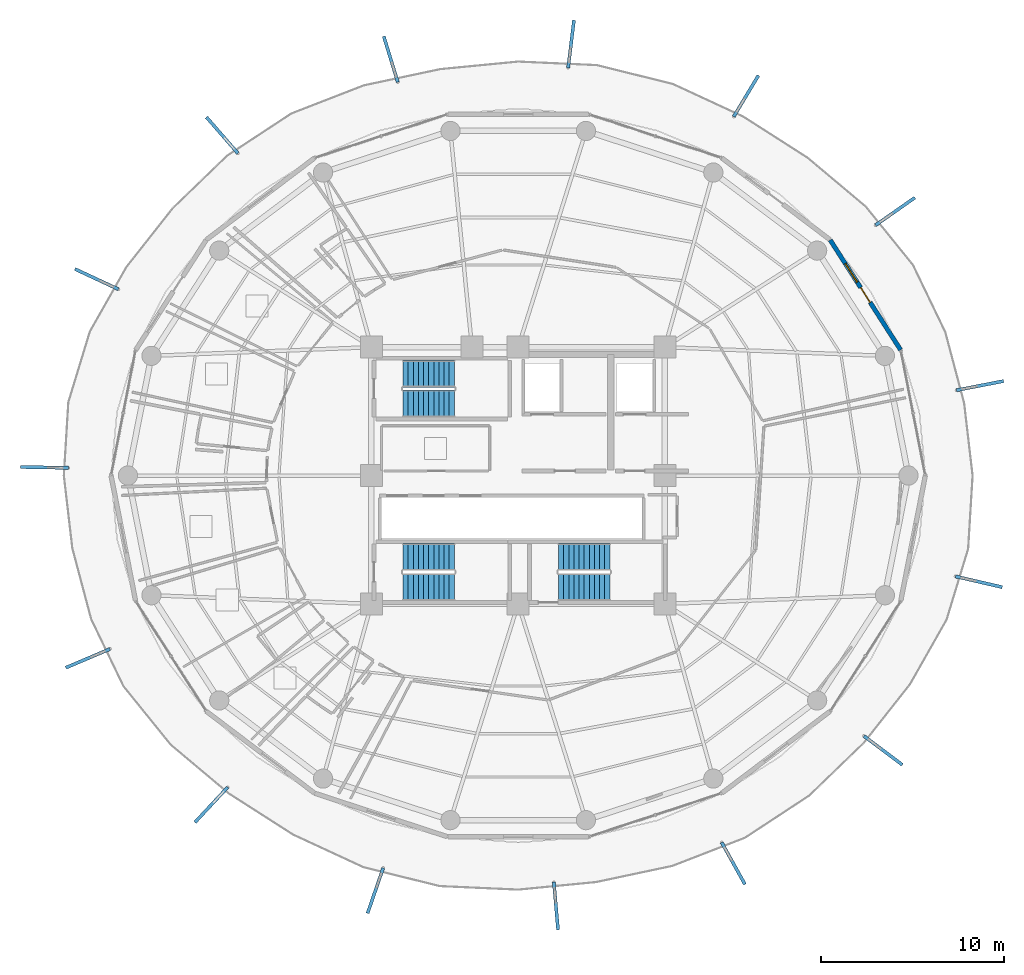
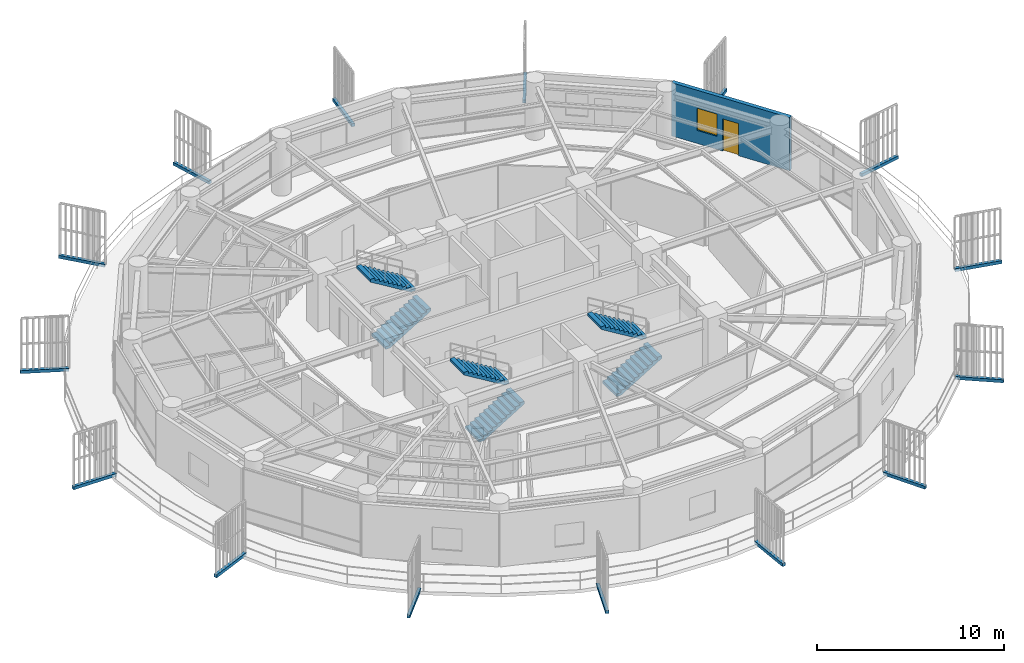
# One storey, part 26 of 30: 15 discrete accessories, 6 stair flights, 1 door, 1 wall, 1 window, 2 openings, 3 elements without a shape of their own.
"""IFC4 building model written with IfcOpenShell, lengths in metres."""

import ifcopenshell
import ifcopenshell.guid

model = None  # the IFC model being written
_history = None  # IfcOwnerHistory: only IFC2X3 demands one
_inside = {}  # id of a spatial element -> (the spatial element, [elements in it])
_under = {}  # id of a project, library or spatial element -> (it, [spatial elements below it])
_declared = {}  # id of a project -> (the project, [libraries it declares])
_typed = {}  # id of a type object -> (the type object, [elements of that type])
_made_of = {}  # id of a material, layer set ... -> (it, [elements and type objects made of it])


def new_model(schema):
    """Start an empty IFC model of exactly this schema.

    Asked for "IFC4X3", IfcOpenShell would pick the latest addendum, in which some entities
    have other attributes; the version numbers below select the first issue.
    IFC2X3 requires an IfcOwnerHistory on every rooted entity: one is made here for all.
    """
    global model, _history
    if schema == "IFC4X3":
        model = ifcopenshell.file(schema_version=(4, 3, 0, 0))
    else:
        model = ifcopenshell.file(schema=schema)
    _inside.clear()
    _under.clear()
    _declared.clear()
    _typed.clear()
    _made_of.clear()
    _history = None
    if model.schema == "IFC2X3":
        org = make("IfcOrganization", Name="unknown")
        user = make(
            "IfcPersonAndOrganization",
            ThePerson=make("IfcPerson", FamilyName="unknown"),
            TheOrganization=org,
        )
        app = make(
            "IfcApplication",
            ApplicationDeveloper=org,
            Version="unknown",
            ApplicationFullName="unknown",
            ApplicationIdentifier="unknown",
        )
        _history = make(
            "IfcOwnerHistory",
            OwningUser=user,
            OwningApplication=app,
            ChangeAction="ADDED",
            CreationDate=0,
        )
    return model


def make(cls, **values):
    """One entity of the class cls with the attributes given. An attribute that is None is left unset."""
    return model.create_entity(
        cls, **{name: value for name, value in values.items() if value is not None}
    )


def rooted(cls, **values):
    """An entity with a GlobalId (a new one), such as an element, a storey or a relation."""
    return make(cls, GlobalId=ifcopenshell.guid.new(), OwnerHistory=_history, **values)


def si_unit(unit_type, name, prefix=None):
    """IfcSIUnit, for example si_unit("LENGTHUNIT", "METRE", prefix="MILLI")."""
    return make("IfcSIUnit", UnitType=unit_type, Prefix=prefix, Name=name)


def assignment(units):
    """IfcUnitAssignment: the units of a project."""
    return None if units is None else make("IfcUnitAssignment", Units=units)


def point(xyz):
    """IfcCartesianPoint."""
    return None if xyz is None else make("IfcCartesianPoint", Coordinates=xyz)


def direction(xyz):
    """IfcDirection."""
    return None if xyz is None else make("IfcDirection", DirectionRatios=xyz)


def frame(location, z_axis=None, x_axis=None):
    """IfcAxis2Placement3D, a coordinate frame: its origin and axes. An axis left out is left unset."""
    return make(
        "IfcAxis2Placement3D",
        Location=point(location),
        Axis=direction(z_axis),
        RefDirection=direction(x_axis),
    )


def frame_2d(location, x_axis=None):
    """IfcAxis2Placement2D, a coordinate frame in the plane: its origin and x axis."""
    return make(
        "IfcAxis2Placement2D", Location=point(location), RefDirection=direction(x_axis)
    )


def origin():
    """The frame at (0, 0, 0) with its axes left unset."""
    return frame((0.0, 0.0, 0.0))


def origin_2d():
    """The frame at (0, 0) in the plane with its x axis left unset."""
    return frame_2d((0.0, 0.0))


def place(relative_to, where):
    """IfcLocalPlacement: puts the frame where relative to a parent placement (None: the world)."""
    return make(
        "IfcLocalPlacement", PlacementRelTo=relative_to, RelativePlacement=where
    )


def context(
    kind, dimensions, precision=None, world=None, true_north=None, identifier=None
):
    """IfcGeometricRepresentationContext, for example the 3D "Model" context."""
    return make(
        "IfcGeometricRepresentationContext",
        ContextIdentifier=identifier,
        ContextType=kind,
        CoordinateSpaceDimension=dimensions,
        Precision=precision,
        WorldCoordinateSystem=world,
        TrueNorth=true_north,
    )


def subcontext(parent, identifier, kind, view, scale=None):
    """IfcGeometricRepresentationSubContext, for example "Body" below "Model"."""
    return make(
        "IfcGeometricRepresentationSubContext",
        ContextIdentifier=identifier,
        ContextType=kind,
        ParentContext=parent,
        TargetScale=scale,
        TargetView=view,
    )


def project(units=None, contexts=None):
    """IfcProject with its units and contexts."""
    return rooted(
        "IfcProject",
        Name="project",
        RepresentationContexts=contexts,
        UnitsInContext=assignment(units),
    )


def spatial(cls, under=None, at=None, **own):
    """A site, building, storey or space (cls), placed at a placement, below another one or the project."""
    s = rooted(cls, ObjectPlacement=at, **own)
    if under is not None:
        _under.setdefault(under.id(), (under, []))[1].append(s)
    return s


def polyline(points):
    """IfcPolyline through the points."""
    return make("IfcPolyline", Points=[point(p) for p in points])


def profile(cls, at=None, kind="AREA", **sizes):
    """A parametric profile (cls). Its sizes go by their IFC names, for example OverallWidth=200.0."""
    return make(cls, ProfileType=kind, Position=at, **sizes)


def rectangle(**sizes):
    """IfcRectangleProfileDef."""
    return profile("IfcRectangleProfileDef", **sizes)


def outline(outer, holes=None, kind="AREA"):
    """IfcArbitraryClosedProfileDef: a profile drawn as a closed curve; with holes, ...WithVoids."""
    if holes is None:
        return make("IfcArbitraryClosedProfileDef", ProfileType=kind, OuterCurve=outer)
    return make(
        "IfcArbitraryProfileDefWithVoids",
        ProfileType=kind,
        OuterCurve=outer,
        InnerCurves=holes,
    )


def extrude(swept, where, along, depth):
    """IfcExtrudedAreaSolid: the profile swept, set in the frame where, extruded along a direction by depth."""
    return make(
        "IfcExtrudedAreaSolid",
        SweptArea=swept,
        Position=where,
        ExtrudedDirection=direction(along),
        Depth=depth,
    )


def shape(context_of_items, identifier, shape_type, items):
    """IfcShapeRepresentation: the items that make up one representation, for example the "Body"."""
    return make(
        "IfcShapeRepresentation",
        ContextOfItems=context_of_items,
        RepresentationIdentifier=identifier,
        RepresentationType=shape_type,
        Items=items,
    )


def source(mapping_origin, context_of_items, identifier, shape_type, items):
    """IfcRepresentationMap: a shape defined once, which mapped items show again and again."""
    return make(
        "IfcRepresentationMap",
        MappingOrigin=mapping_origin,
        MappedRepresentation=shape(context_of_items, identifier, shape_type, items),
    )


def transform(
    local_origin,
    x_axis=None,
    y_axis=None,
    z_axis=None,
    scale=None,
    scale2=None,
    scale3=None,
    uniform=True,
):
    """IfcCartesianTransformationOperator3D, or its non-uniform kind. x_axis, y_axis, z_axis: its Axis1, 2, 3."""
    if uniform:
        return make(
            "IfcCartesianTransformationOperator3D",
            Axis1=direction(x_axis),
            Axis2=direction(y_axis),
            LocalOrigin=point(local_origin),
            Scale=scale,
            Axis3=direction(z_axis),
        )
    return make(
        "IfcCartesianTransformationOperator3DnonUniform",
        Axis1=direction(x_axis),
        Axis2=direction(y_axis),
        LocalOrigin=point(local_origin),
        Scale=scale,
        Axis3=direction(z_axis),
        Scale2=scale2,
        Scale3=scale3,
    )


def mapped(mapping_source, mapping_target):
    """IfcMappedItem: shows the shape of a source again, moved by a transform."""
    return make(
        "IfcMappedItem", MappingSource=mapping_source, MappingTarget=mapping_target
    )


def material(Name=None, Category=None):
    """IfcMaterial."""
    return make("IfcMaterial", Name=Name, Category=Category)


def layer(
    of_material, thickness, ventilated=None, Name=None, Category=None, Priority=None
):
    """IfcMaterialLayer: one layer of a wall or slab, of a material (None: an air gap)."""
    return make(
        "IfcMaterialLayer",
        Material=of_material,
        LayerThickness=thickness,
        IsVentilated=ventilated,
        Name=Name,
        Category=Category,
        Priority=Priority,
    )


def layer_set(layers, Name=None):
    """IfcMaterialLayerSet."""
    return make("IfcMaterialLayerSet", MaterialLayers=layers, LayerSetName=Name)


def made_of(thing, what):
    """Note that an element or type object is made of a material, layer set ...; save() writes the relation."""
    if what is not None:
        _made_of.setdefault(what.id(), (what, []))[1].append(thing)
    return thing


def type_object(cls, material=None, **own):
    """A type object (cls), such as IfcWallType, which elements share."""
    return made_of(rooted(cls, **own), material)


def element(
    cls,
    number,
    at=None,
    inside=None,
    cuts=None,
    type_object=None,
    material=None,
    context=None,
    identifier="Body",
    shape_type=None,
    held_by="IfcProductDefinitionShape",
    body=None,
    shapes=None,
    **own,
):
    """One element of the class cls, such as IfcWall. Its Tag is "e" and its number.

    at: its placement. inside: the storey or other place that contains it. cuts: it is an
    opening in that element (IfcRelVoidsElement). A single representation is given by context,
    identifier, shape_type and body (its items); several are given by shapes. held_by: the class
    of the entity that holds the representations. save() writes the other relations.
    """
    e = rooted(cls, Tag="e%d" % number, ObjectPlacement=at, **own)
    if body is not None:
        shapes = [shape(context, identifier, shape_type, body)]
    if shapes is not None:
        e.Representation = make(held_by, Representations=shapes)
    if inside is not None:
        _inside.setdefault(inside.id(), (inside, []))[1].append(e)
    if cuts is not None:
        rooted(
            "IfcRelVoidsElement", RelatingBuildingElement=cuts, RelatedOpeningElement=e
        )
    if type_object is not None:
        _typed.setdefault(type_object.id(), (type_object, []))[1].append(e)
    return made_of(e, material)


def fill(opening, filler):
    """IfcRelFillsElement: the door or window that sits in an opening."""
    return rooted(
        "IfcRelFillsElement",
        RelatingOpeningElement=opening,
        RelatedBuildingElement=filler,
    )


def aggregate(whole, parts):
    """IfcRelAggregates: a whole, such as a stair, and the parts it consists of."""
    return rooted("IfcRelAggregates", RelatingObject=whole, RelatedObjects=parts)


def save(model, path):
    """Write the relations noted so far, then the file.

    IfcRelAggregates (storeys below a building ...), IfcRelContainedInSpatialStructure (elements
    in a storey), IfcRelDefinesByType, IfcRelAssociatesMaterial and IfcRelDeclares: one each for
    every whole, place, type object, material and project.
    """
    for whole, parts in _under.values():
        aggregate(whole, parts)
    for where, things in _inside.values():
        rooted(
            "IfcRelContainedInSpatialStructure",
            RelatedElements=things,
            RelatingStructure=where,
        )
    for kind, things in _typed.values():
        rooted("IfcRelDefinesByType", RelatedObjects=things, RelatingType=kind)
    for what, things in _made_of.values():
        rooted("IfcRelAssociatesMaterial", RelatedObjects=things, RelatingMaterial=what)
    for by, libraries in _declared.values():
        rooted("IfcRelDeclares", RelatingContext=by, RelatedDefinitions=libraries)
    model.write(path)


model = new_model("IFC4")

# Units and contexts
model_context = context("Model", 3, precision=1e-05, world=origin(), true_north=direction((0.0, 1.0)))
body_context = subcontext(model_context, "Body", "Model", "MODEL_VIEW")
ifc_project = project(units=[si_unit("LENGTHUNIT", "METRE"), si_unit("AREAUNIT", "SQUARE_METRE"), si_unit("VOLUMEUNIT", "CUBIC_METRE"), si_unit("PLANEANGLEUNIT", "RADIAN"), si_unit("MASSUNIT", "GRAM", prefix="KILO")], contexts=[model_context])

# Site, building, storey
site_placement = place(None, origin())
site = spatial("IfcSite", under=ifc_project, at=site_placement, CompositionType="ELEMENT")
building_placement = place(site_placement, origin())
building = spatial("IfcBuilding", under=site, at=building_placement, Name="Kelanora Arch Commons", CompositionType="ELEMENT")
storey_placement = place(building_placement, frame((0.0, 0.0, 204.449951171875)))
storey = spatial("IfcBuildingStorey", under=building, at=storey_placement, Name="L52", CompositionType="ELEMENT", Elevation=204.449951171875)

# Wall, openings, door, window
ifc_material_1 = material(Name="Precast concrete C40/50 upper-zone terracotta rainscreen", Category="masonry")
ifc_layer = layer(ifc_material_1, 0.239990234375)
ifc_layer_set = layer_set([ifc_layer], Name="Precast concrete C40/50 upper-zone terracotta rainscreen")
wall_type = type_object("IfcWallType", Name="W-EXT-TC2", PredefinedType="SOLIDWALL", material=ifc_layer_set)
wall_placement = place(storey_placement, frame((94.85302734375, 64.85302734375, 0.0), z_axis=(0.0, 0.0, 1.0), x_axis=(-0.539539512973, 0.841960280501, 0.0)))
wall = element("IfcWall", 1, at=wall_placement, inside=storey, type_object=wall_type, Name="Terracotta Exterior Wall L52-B01", PredefinedType="SOLIDWALL", context=body_context, shape_type="SweptSolid", body=[
    extrude(rectangle(XDim=7.11474609375, YDim=0.239990234375, at=frame_2d((3.557373046875, 0.0))), origin(), (0.0, 0.0, 1.0), 3.47509765625),
])
opening_1_placement = place(wall_placement, frame((3.08203125, 0.0, 0.0)))
opening_1 = element("IfcOpeningElement", 2, at=opening_1_placement, cuts=wall, Name="Opening DB-01", PredefinedType="OPENING", context=body_context, shape_type="SweptSolid", body=[
    extrude(rectangle(XDim=0.949951171875, YDim=2.10009765625, at=frame_2d((0.47509765625, 1.050048828125))), frame((0.0, 0.1298828125, 0.0), z_axis=(0.0, -1.0, 0.0), x_axis=(1.0, 0.0, 0.0)), (0.0, 0.0, 1.0), 0.260009765625),
])
opening_2_placement = place(wall_placement, frame((4.382080078125, 0.0, 0.85009765625)))
opening_2 = element("IfcOpeningElement", 3, at=opening_2_placement, cuts=wall, Name="Opening WN-02", PredefinedType="OPENING", context=body_context, shape_type="SweptSolid", body=[
    extrude(rectangle(XDim=1.199951171875, YDim=1.449951171875, at=frame_2d((0.60009765625, 0.72509765625))), frame((0.0, 0.1298828125, 0.0), z_axis=(0.0, -1.0, 0.0), x_axis=(1.0, 0.0, 0.0)), (0.0, 0.0, 1.0), 0.260009765625),
])
ifc_material_2 = material(Name="Terracotta-aluminium thermally broken glazed balcony door", Category="masonry")
door_type = type_object("IfcDoorType", Name="D-BAL-10", OperationType="NOTDEFINED", PredefinedType="DOOR", material=ifc_material_2)
door_placement = place(opening_1_placement, frame((0.949951171875, 0.0, 0.0), z_axis=(0.0, 0.0, 1.0), x_axis=(-1.0, 0.0, 0.0)))
door = element("IfcDoor", 4, at=door_placement, inside=storey, type_object=door_type, Name="Wave Balcony Door L52-B01", OperationType="SINGLE_SWING_RIGHT", OverallHeight=2.10009765625, OverallWidth=0.949951171875, PredefinedType="DOOR", context=body_context, shape_type="SweptSolid", body=[
    extrude(rectangle(XDim=0.949951171875, YDim=2.10009765625, at=frame_2d((0.47509765625, 1.050048828125))), frame((0.0, 0.02490234375, 0.0), z_axis=(0.0, -1.0, 0.0), x_axis=(1.0, 0.0, 0.0)), (0.0, 0.0, 1.0), 0.050048828125),
])
fill(opening_1, door)
ifc_material_3 = material(Name="Terracotta-anodised aluminium frame with operable awning sash", Category="masonry")
window_type = type_object("IfcWindowType", Name="WIN-CL-12", PartitioningType="SINGLE_PANEL", PredefinedType="WINDOW", material=ifc_material_3)
window_placement = place(opening_2_placement, origin())
window = element("IfcWindow", 5, at=window_placement, inside=storey, type_object=window_type, Name="Co-Living Operable Window L52-B01", OverallHeight=1.449951171875, OverallWidth=1.199951171875, PartitioningType="SINGLE_PANEL", PredefinedType="WINDOW", context=body_context, shape_type="SweptSolid", body=[
    extrude(rectangle(XDim=1.199951171875, YDim=1.449951171875, at=frame_2d((0.60009765625, 0.72509765625))), frame((0.0, 0.030029296875, 0.0), z_axis=(0.0, -1.0, 0.0), x_axis=(1.0, 0.0, 0.0)), (0.0, 0.0, 1.0), 0.06005859375),
])
fill(opening_2, window)

# Stair, stair flights
ifc_material_4 = material(Name="Concrete C40/50", Category="concrete")
stair_type = type_object("IfcStairType", Name="STR-DL-375", PredefinedType="HALF_TURN_STAIR", material=ifc_material_4)
stair_1_placement = place(storey_placement, origin())
stair_1 = element("IfcStair", 6, at=stair_1_placement, inside=storey, type_object=stair_type, Name="L52 ST-T1", PredefinedType="HALF_TURN_STAIR")
stair_flight_type = type_object("IfcStairFlightType", Name="FLT-DL-375", PredefinedType="STRAIGHT", material=ifc_material_4)
stair_flight_1_placement = place(storey_placement, frame((67.719970703125, 61.919921875, 0.0), z_axis=(0.0, 0.0, 1.0), x_axis=(1.0, 0.0, 0.0)))
stair_flight_1 = element("IfcStairFlight", 7, at=stair_flight_1_placement, type_object=stair_flight_type, Name="ST-T1 flight 1", NumberOfRisers=11, NumberOfTreads=10, PredefinedType="STRAIGHT", RiserHeight=0.170454545, TreadLength=0.28, context=body_context, shape_type="SweptSolid", body=[
    extrude(outline(polyline([(0.0, 0.0), (0.0, 0.17041015625), (0.280029296875, 0.17041015625), (0.280029296875, 0.3408203125), (0.56005859375, 0.3408203125), (0.56005859375, 0.511474609375), (0.840087890625, 0.511474609375), (0.840087890625, 0.681884765625), (1.1201171875, 0.681884765625), (1.1201171875, 0.852294921875), (1.39990234375, 0.852294921875), (1.39990234375, 1.022705078125), (1.679931640625, 1.022705078125), (1.679931640625, 1.193115234375), (1.9599609375, 1.193115234375), (1.9599609375, 1.363525390625), (2.239990234375, 1.363525390625), (2.239990234375, 1.5341796875), (2.52001953125, 1.5341796875), (2.52001953125, 1.70458984375), (2.800048828125, 1.70458984375), (2.800048828125, 1.875), (2.800048828125, 1.529052734375), (0.288330078125, 0.0), (0.0, 0.0)])), frame((0.0, 0.739990234375, 0.0), z_axis=(0.0, -1.0, 0.0), x_axis=(1.0, 0.0, 0.0)), (0.0, 0.0, 1.0), 1.47998046875),
])
stair_flight_2_placement = place(storey_placement, frame((70.52001953125, 63.550048828125, 1.875), z_axis=(0.0, 0.0, 1.0), x_axis=(-1.0, 0.0, 0.0)))
stair_flight_2 = element("IfcStairFlight", 8, at=stair_flight_2_placement, type_object=stair_flight_type, Name="ST-T1 flight 2", NumberOfRisers=11, NumberOfTreads=10, PredefinedType="STRAIGHT", RiserHeight=0.170454545, TreadLength=0.28, context=body_context, shape_type="SweptSolid", body=[
    extrude(outline(polyline([(0.0, 0.0), (0.0, 0.17041015625), (0.280029296875, 0.17041015625), (0.280029296875, 0.3408203125), (0.56005859375, 0.3408203125), (0.56005859375, 0.511474609375), (0.840087890625, 0.511474609375), (0.840087890625, 0.681884765625), (1.1201171875, 0.681884765625), (1.1201171875, 0.852294921875), (1.39990234375, 0.852294921875), (1.39990234375, 1.022705078125), (1.679931640625, 1.022705078125), (1.679931640625, 1.193115234375), (1.9599609375, 1.193115234375), (1.9599609375, 1.363525390625), (2.239990234375, 1.363525390625), (2.239990234375, 1.5341796875), (2.52001953125, 1.5341796875), (2.52001953125, 1.70458984375), (2.800048828125, 1.70458984375), (2.800048828125, 1.875), (2.800048828125, 1.529052734375), (0.288330078125, 0.0), (0.0, 0.0)])), frame((0.0, 0.739990234375, 0.0), z_axis=(0.0, -1.0, 0.0), x_axis=(1.0, 0.0, 0.0)), (0.0, 0.0, 1.0), 1.47998046875),
])
aggregate(stair_1, [stair_flight_1, stair_flight_2])

stair_2_placement = place(storey_placement, origin())
stair_2 = element("IfcStair", 9, at=stair_2_placement, inside=storey, type_object=stair_type, Name="L52 ST-T2", PredefinedType="HALF_TURN_STAIR")
stair_flight_3_placement = place(storey_placement, frame((76.199951171875, 51.919921875, 0.0), z_axis=(0.0, 0.0, 1.0), x_axis=(1.0, 0.0, 0.0)))
stair_flight_3 = element("IfcStairFlight", 10, at=stair_flight_3_placement, type_object=stair_flight_type, Name="ST-T2 flight 1", NumberOfRisers=11, NumberOfTreads=10, PredefinedType="STRAIGHT", RiserHeight=0.170454545, TreadLength=0.28, context=body_context, shape_type="SweptSolid", body=[
    extrude(outline(polyline([(0.0, 0.0), (0.0, 0.17041015625), (0.280029296875, 0.17041015625), (0.280029296875, 0.3408203125), (0.56005859375, 0.3408203125), (0.56005859375, 0.511474609375), (0.840087890625, 0.511474609375), (0.840087890625, 0.681884765625), (1.1201171875, 0.681884765625), (1.1201171875, 0.852294921875), (1.39990234375, 0.852294921875), (1.39990234375, 1.022705078125), (1.679931640625, 1.022705078125), (1.679931640625, 1.193115234375), (1.9599609375, 1.193115234375), (1.9599609375, 1.363525390625), (2.239990234375, 1.363525390625), (2.239990234375, 1.5341796875), (2.52001953125, 1.5341796875), (2.52001953125, 1.70458984375), (2.800048828125, 1.70458984375), (2.800048828125, 1.875), (2.800048828125, 1.529052734375), (0.288330078125, 0.0), (0.0, 0.0)])), frame((0.0, 0.739990234375, 0.0), z_axis=(0.0, -1.0, 0.0), x_axis=(1.0, 0.0, 0.0)), (0.0, 0.0, 1.0), 1.47998046875),
])
stair_flight_4_placement = place(storey_placement, frame((79.0, 53.550048828125, 1.875), z_axis=(0.0, 0.0, 1.0), x_axis=(-1.0, 0.0, 0.0)))
stair_flight_4 = element("IfcStairFlight", 11, at=stair_flight_4_placement, type_object=stair_flight_type, Name="ST-T2 flight 2", NumberOfRisers=11, NumberOfTreads=10, PredefinedType="STRAIGHT", RiserHeight=0.170454545, TreadLength=0.28, context=body_context, shape_type="SweptSolid", body=[
    extrude(outline(polyline([(0.0, 0.0), (0.0, 0.17041015625), (0.280029296875, 0.17041015625), (0.280029296875, 0.3408203125), (0.56005859375, 0.3408203125), (0.56005859375, 0.511474609375), (0.840087890625, 0.511474609375), (0.840087890625, 0.681884765625), (1.1201171875, 0.681884765625), (1.1201171875, 0.852294921875), (1.39990234375, 0.852294921875), (1.39990234375, 1.022705078125), (1.679931640625, 1.022705078125), (1.679931640625, 1.193115234375), (1.9599609375, 1.193115234375), (1.9599609375, 1.363525390625), (2.239990234375, 1.363525390625), (2.239990234375, 1.5341796875), (2.52001953125, 1.5341796875), (2.52001953125, 1.70458984375), (2.800048828125, 1.70458984375), (2.800048828125, 1.875), (2.800048828125, 1.529052734375), (0.288330078125, 0.0), (0.0, 0.0)])), frame((0.0, 0.739990234375, 0.0), z_axis=(0.0, -1.0, 0.0), x_axis=(1.0, 0.0, 0.0)), (0.0, 0.0, 1.0), 1.47998046875),
])
aggregate(stair_2, [stair_flight_3, stair_flight_4])

stair_3_placement = place(storey_placement, origin())
stair_3 = element("IfcStair", 12, at=stair_3_placement, inside=storey, type_object=stair_type, Name="L52 ST-T3", PredefinedType="HALF_TURN_STAIR")
stair_flight_5_placement = place(storey_placement, frame((67.719970703125, 51.919921875, 0.0), z_axis=(0.0, 0.0, 1.0), x_axis=(1.0, 0.0, 0.0)))
stair_flight_5 = element("IfcStairFlight", 13, at=stair_flight_5_placement, type_object=stair_flight_type, Name="ST-T3 flight 1", NumberOfRisers=11, NumberOfTreads=10, PredefinedType="STRAIGHT", RiserHeight=0.170454545, TreadLength=0.28, context=body_context, shape_type="SweptSolid", body=[
    extrude(outline(polyline([(0.0, 0.0), (0.0, 0.17041015625), (0.280029296875, 0.17041015625), (0.280029296875, 0.3408203125), (0.56005859375, 0.3408203125), (0.56005859375, 0.511474609375), (0.840087890625, 0.511474609375), (0.840087890625, 0.681884765625), (1.1201171875, 0.681884765625), (1.1201171875, 0.852294921875), (1.39990234375, 0.852294921875), (1.39990234375, 1.022705078125), (1.679931640625, 1.022705078125), (1.679931640625, 1.193115234375), (1.9599609375, 1.193115234375), (1.9599609375, 1.363525390625), (2.239990234375, 1.363525390625), (2.239990234375, 1.5341796875), (2.52001953125, 1.5341796875), (2.52001953125, 1.70458984375), (2.800048828125, 1.70458984375), (2.800048828125, 1.875), (2.800048828125, 1.529052734375), (0.288330078125, 0.0), (0.0, 0.0)])), frame((0.0, 0.739990234375, 0.0), z_axis=(0.0, -1.0, 0.0), x_axis=(1.0, 0.0, 0.0)), (0.0, 0.0, 1.0), 1.47998046875),
])
stair_flight_6_placement = place(storey_placement, frame((70.52001953125, 53.550048828125, 1.875), z_axis=(0.0, 0.0, 1.0), x_axis=(-1.0, 0.0, 0.0)))
stair_flight_6 = element("IfcStairFlight", 14, at=stair_flight_6_placement, type_object=stair_flight_type, Name="ST-T3 flight 2", NumberOfRisers=11, NumberOfTreads=10, PredefinedType="STRAIGHT", RiserHeight=0.170454545, TreadLength=0.28, context=body_context, shape_type="SweptSolid", body=[
    extrude(outline(polyline([(0.0, 0.0), (0.0, 0.17041015625), (0.280029296875, 0.17041015625), (0.280029296875, 0.3408203125), (0.56005859375, 0.3408203125), (0.56005859375, 0.511474609375), (0.840087890625, 0.511474609375), (0.840087890625, 0.681884765625), (1.1201171875, 0.681884765625), (1.1201171875, 0.852294921875), (1.39990234375, 0.852294921875), (1.39990234375, 1.022705078125), (1.679931640625, 1.022705078125), (1.679931640625, 1.193115234375), (1.9599609375, 1.193115234375), (1.9599609375, 1.363525390625), (2.239990234375, 1.363525390625), (2.239990234375, 1.5341796875), (2.52001953125, 1.5341796875), (2.52001953125, 1.70458984375), (2.800048828125, 1.70458984375), (2.800048828125, 1.875), (2.800048828125, 1.529052734375), (0.288330078125, 0.0), (0.0, 0.0)])), frame((0.0, 0.739990234375, 0.0), z_axis=(0.0, -1.0, 0.0), x_axis=(1.0, 0.0, 0.0)), (0.0, 0.0, 1.0), 1.47998046875),
])
aggregate(stair_3, [stair_flight_5, stair_flight_6])

# Discrete accessories
ifc_material_5 = material(Name="Stainless steel 316 marine fin bracket", Category="steel")
discrete_accessory_type = type_object("IfcDiscreteAccessoryType", Name="ACC-FIN-BRK", PredefinedType="BRACKET", material=ifc_material_5)
shared_shape = source(origin(), body_context, "Body", "SweptSolid", [
    extrude(rectangle(XDim=2.615478515625, YDim=0.179931640625, at=origin_2d()), origin(), (0.0, 0.0, 1.0), 0.199951171875),
])
for number, where, z_axis, x_axis, name in (
    (15, (93.8994140625, 43.0126953125, -0.16015625), (0.0, 0.0, 1.0), (0.79884553446, -0.60153621011, 0.0), "Sweeping Fin Cantilever Spine Bracket L52-00"),
    (16, (99.1201171875, 52.20751953125, -0.16015625), (0.0, 0.0, 1.0), (0.974448528153, -0.224610921331, 0.0), "Sweeping Fin Cantilever Spine Bracket L52-01"),
    (17, (99.185791015625, 62.902587890625, -0.16015625), (0.0, 0.0, 1.0), (0.981560518741, 0.191151636272, 0.0), "Sweeping Fin Cantilever Spine Bracket L52-02"),
    (18, (94.55908203125, 72.40380859375, -0.16015625), (0.0, 0.0, 1.0), (0.818951778441, 0.573862339406, 0.0), "Sweeping Fin Cantilever Spine Bracket L52-03"),
    (19, (86.427001953125, 78.6943359375, -0.16015625), (0.0, 0.0, 1.0), (0.514738835705, 0.85734703068, 0.0), "Sweeping Fin Cantilever Spine Bracket L52-04"),
    (20, (76.883056640625, 81.531982421875, -0.16015625), (0.0, 0.0, 1.0), (0.121522872021, 0.992588631597, 0.0), "Sweeping Fin Cantilever Spine Bracket L52-05"),
    (21, (67.0537109375, 80.69873046875, -0.16015625), (0.0, 0.0, 1.0), (-0.292705500237, 0.956202640726, 0.0), "Sweeping Fin Cantilever Spine Bracket L52-06"),
    (22, (57.860595703125, 76.556396484375, -0.16015625), (0.0, 0.0, 1.0), (-0.656190740668, 0.754595064827, 0.0), "Sweeping Fin Cantilever Spine Bracket L52-07"),
    (23, (51.015380859375, 68.710693359375, -0.16015625), (0.0, 0.0, 1.0), (-0.906381534034, 0.422460074755, 0.0), "Sweeping Fin Cantilever Spine Bracket L52-08"),
    (24, (48.162109375, 58.4443359375, -0.16015625), (0.0, 0.0, 1.0), (-0.999850725947, 0.017277899829, 0.0), "Sweeping Fin Cantilever Spine Bracket L52-09"),
    (25, (50.5390625, 48.0341796875, -0.16015625), (0.0, 0.0, 1.0), (-0.920436643986, -0.390891780942, 0.0), "Sweeping Fin Cantilever Spine Bracket L52-10"),
    (26, (57.26953125, 40.04931640625, -0.16015625), (0.0, 0.0, 1.0), (-0.681870704375, -0.731472721648, 0.0), "Sweeping Fin Cantilever Spine Bracket L52-11"),
    (27, (66.21435546875, 35.369384765625, -0.16015625), (0.0, 0.0, 1.0), (-0.325403125376, -0.94557538356, 0.0), "Sweeping Fin Cantilever Spine Bracket L52-12"),
    (28, (76.059326171875, 34.531005859375, -0.16015625), (0.0, 0.0, 1.0), (0.087329610194, -0.996179471372, 0.0), "Sweeping Fin Cantilever Spine Bracket L52-13"),
    (29, (85.72998046875, 36.8515625, -0.16015625), (0.0, 0.0, 1.0), (0.484962262797, -0.874535078577, 0.0), "Sweeping Fin Cantilever Spine Bracket L52-14"),
):
    element("IfcDiscreteAccessory", number, at=place(storey_placement, frame(where, z_axis=z_axis, x_axis=x_axis)), inside=storey, type_object=discrete_accessory_type, Name=name, PredefinedType="BRACKET", context=body_context, shape_type="MappedRepresentation", body=[
        mapped(shared_shape, transform((0.0, 0.0, 0.0), scale=1.0)),
    ])

save(model, "model.ifc")
